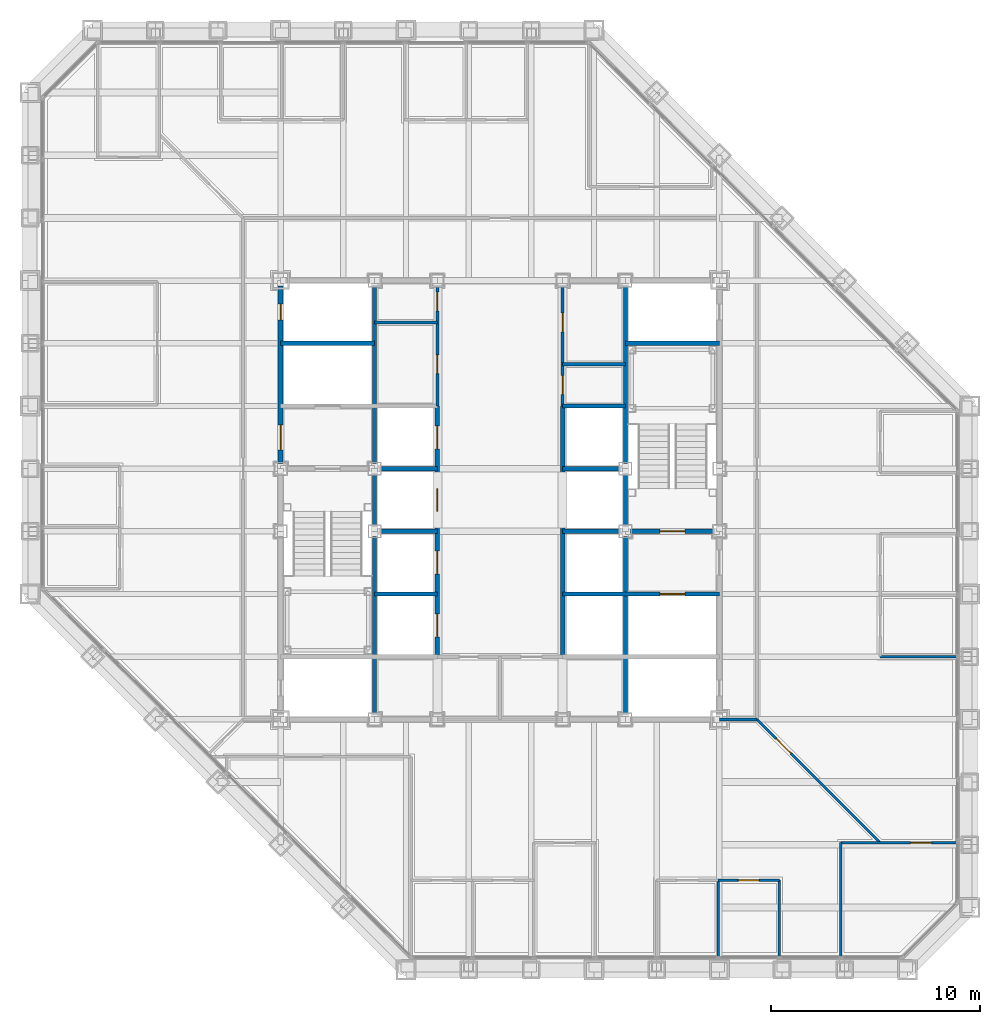
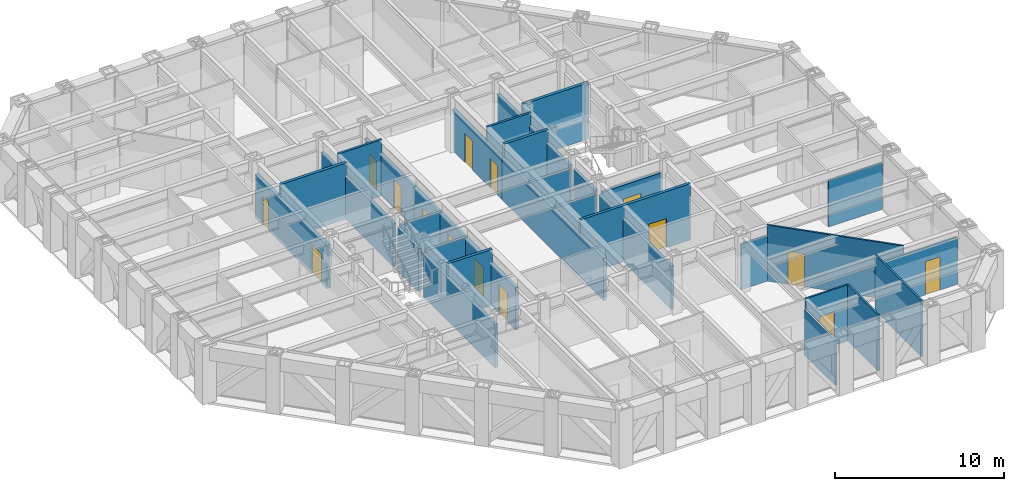
# One storey, part 11 of 17: 31 walls, 15 doors, 15 openings.
"""IFC4 building model written with IfcOpenShell, lengths in metres."""

from ifc_helpers import new_model, si_unit, direction, frame, frame_2d, origin, place, context, subcontext, project, spatial, rectangle, extrude, material, layer, layer_set, type_object, element, fill, save


model = new_model("IFC4")

# Units and contexts
model_context = context("Model", 3, precision=1e-05, world=origin(), true_north=direction((0.0, 1.0)))
body_context = subcontext(model_context, "Body", "Model", "MODEL_VIEW")
ifc_project = project(units=[si_unit("LENGTHUNIT", "METRE"), si_unit("AREAUNIT", "SQUARE_METRE"), si_unit("VOLUMEUNIT", "CUBIC_METRE"), si_unit("PLANEANGLEUNIT", "RADIAN"), si_unit("MASSUNIT", "GRAM", prefix="KILO")], contexts=[model_context])

# Site, building, storey
site_placement = place(None, origin())
site = spatial("IfcSite", under=ifc_project, at=site_placement, CompositionType="ELEMENT")
building_placement = place(site_placement, origin())
building = spatial("IfcBuilding", under=site, at=building_placement, Name="Chuquiago Exchange Tower", CompositionType="ELEMENT")
storey_placement = place(building_placement, frame((0.0, 0.0, 165.60009765625)))
storey = spatial("IfcBuildingStorey", under=building, at=storey_placement, Name="L36", CompositionType="ELEMENT", Elevation=165.60009765625)

# Wall, openings, doors
ifc_material_1 = material(Name="Concrete masonry, fully grouted", Category="masonry")
ifc_layer_1 = layer(ifc_material_1, 0.25)
ifc_layer_set_1 = layer_set([ifc_layer_1], Name="W1 core wall 250")
wall_type_1 = type_object("IfcWallType", Name="W1 core wall 250", PredefinedType="SOLIDWALL", material=ifc_layer_set_1)
wall_1_placement = place(storey_placement, frame((12.0, 24.25, 0.0), z_axis=(0.0, 0.0, 1.0), x_axis=(0.0, 1.0, 0.0)))
wall_1 = element("IfcWall", 1, at=wall_1_placement, inside=storey, type_object=wall_type_1, Name="CW-L36-00-2", PredefinedType="SOLIDWALL", context=body_context, shape_type="SweptSolid", body=[
    extrude(rectangle(XDim=8.5, YDim=0.25, at=frame_2d((4.25, 0.0))), origin(), (0.0, 0.0, 1.0), 3.11279296875),
])
opening_1_placement = place(wall_1_placement, frame((0.64990234375, 0.0, 0.0)))
opening_1 = element("IfcOpeningElement", 2, at=opening_1_placement, cuts=wall_1, Name="Opening L36-002", PredefinedType="OPENING", context=body_context, shape_type="SweptSolid", body=[
    extrude(rectangle(XDim=1.199951171875, YDim=2.10009765625, at=frame_2d((0.60009765625, 1.050048828125))), frame((0.0, 0.135009765625, 0.0), z_axis=(0.0, -1.0, 0.0), x_axis=(1.0, 0.0, 0.0)), (0.0, 0.0, 1.0), 0.27001953125),
])
opening_2_placement = place(wall_1_placement, frame((6.875, 0.0, 0.0)))
opening_2 = element("IfcOpeningElement", 3, at=opening_2_placement, cuts=wall_1, Name="Opening L36-008", PredefinedType="OPENING", context=body_context, shape_type="SweptSolid", body=[
    extrude(rectangle(XDim=0.75, YDim=2.10009765625, at=frame_2d((0.375, 1.050048828125))), frame((0.0, 0.135009765625, 0.0), z_axis=(0.0, -1.0, 0.0), x_axis=(1.0, 0.0, 0.0)), (0.0, 0.0, 1.0), 0.27001953125),
])
ifc_material_2 = material(Name="Steel door, painted", Category="steel")
door_type_1 = type_object("IfcDoorType", Name="D5 firefighting lobby door 1200x2100", OperationType="SINGLE_SWING_LEFT", PredefinedType="DOOR", material=ifc_material_2)
door_1_placement = place(opening_1_placement, frame((1.199951171875, 0.0, 0.0), z_axis=(0.0, 0.0, 1.0), x_axis=(-1.0, 0.0, 0.0)))
door_1 = element("IfcDoor", 4, at=door_1_placement, inside=storey, type_object=door_type_1, Name="Firefighting lobby 1 door", OperationType="SINGLE_SWING_RIGHT", OverallHeight=2.10009765625, OverallWidth=1.199951171875, PredefinedType="DOOR", context=body_context, shape_type="SweptSolid", body=[
    extrude(rectangle(XDim=1.199951171875, YDim=2.10009765625, at=frame_2d((0.60009765625, 1.050048828125))), frame((0.0, 0.02490234375, 0.0), z_axis=(0.0, -1.0, 0.0), x_axis=(1.0, 0.0, 0.0)), (0.0, 0.0, 1.0), 0.050048828125),
])
fill(opening_1, door_1)
ifc_material_3 = material(Name="Steel door, painted", Category="steel")
door_type_2 = type_object("IfcDoorType", Name="D6 riser access door 750x2100", OperationType="SINGLE_SWING_LEFT", PredefinedType="DOOR", material=ifc_material_3)
door_2_placement = place(opening_2_placement, frame((0.75, 0.0, 0.0), z_axis=(0.0, 0.0, 1.0), x_axis=(-1.0, 0.0, 0.0)))
door_2 = element("IfcDoor", 5, at=door_2_placement, inside=storey, type_object=door_type_2, Name="Riser RW2 door", OperationType="SINGLE_SWING_LEFT", OverallHeight=2.10009765625, OverallWidth=0.75, PredefinedType="DOOR", context=body_context, shape_type="SweptSolid", body=[
    extrude(rectangle(XDim=0.75, YDim=2.10009765625, at=frame_2d((0.375, 1.050048828125))), frame((0.0, 0.02490234375, 0.0), z_axis=(0.0, -1.0, 0.0), x_axis=(1.0, 0.0, 0.0)), (0.0, 0.0, 1.0), 0.050048828125),
])
fill(opening_2, door_2)

# Walls
ifc_material_4 = material(Name="Gypsum board on steel studs, acoustic insulation", Category="steel")
ifc_layer_2 = layer(ifc_material_4, 0.14990234375)
ifc_layer_set_2 = layer_set([ifc_layer_2], Name="W11 corridor wall 150")
wall_type_2 = type_object("IfcWallType", Name="W11 corridor wall 150", PredefinedType="PARTITIONING", material=ifc_layer_set_2)
wall_2_placement = place(storey_placement, frame((33.0, 12.0, 0.0), z_axis=(0.0, 0.0, 1.0), x_axis=(1.0, 0.0, 0.0)))
element("IfcWall", 6, at=wall_2_placement, inside=storey, type_object=wall_type_2, Name="PW-L36-GES0", PredefinedType="PARTITIONING", context=body_context, shape_type="SweptSolid", body=[
    extrude(rectangle(XDim=1.800048828125, YDim=0.14990234375, at=frame_2d((0.89990234375, 0.0))), origin(), (0.0, 0.0, 1.0), 3.270263671875),
])
ifc_material_5 = material(Name="Concrete masonry, fully grouted", Category="masonry")
ifc_layer_3 = layer(ifc_material_5, 0.199951171875)
ifc_layer_set_3 = layer_set([ifc_layer_3], Name="W2 shaft wall 200")
wall_type_3 = type_object("IfcWallType", Name="W2 shaft wall 200", PredefinedType="SOLIDWALL", material=ifc_layer_set_3)
for number, where, z_axis, x_axis, name in (
    (7, (16.75, 24.0, 0.0), (0.0, 0.0, 1.0), (1.0, 0.0, 0.0), "CW-L36-05-1"),
    (8, (25.5, 24.0, 0.0), (0.0, 0.0, 1.0), (1.0, 0.0, 0.0), "CW-L36-06-0"),
):
    element("IfcWall", number, at=place(storey_placement, frame(where, z_axis=z_axis, x_axis=x_axis)), inside=storey, type_object=wall_type_3, Name=name, PredefinedType="SOLIDWALL", context=body_context, shape_type="SweptSolid", body=[
        extrude(rectangle(XDim=2.75, YDim=0.199951171875, at=frame_2d((1.375, 0.0))), origin(), (0.0, 0.0, 1.0), 3.08984375),
    ])
wall_3_placement = place(storey_placement, frame((25.5, 27.0, 0.0), z_axis=(0.0, 0.0, 1.0), x_axis=(1.0, 0.0, 0.0)))
element("IfcWall", 9, at=wall_3_placement, inside=storey, type_object=wall_type_3, Name="CW-L36-08-0", PredefinedType="SOLIDWALL", context=body_context, shape_type="SweptSolid", body=[
    extrude(rectangle(XDim=3.0, YDim=0.199951171875, at=frame_2d((1.5, 0.0))), origin(), (0.0, 0.0, 1.0), 4.039794921875),
])
for number, where, z_axis, x_axis, name in (
    (10, (12.0, 30.0, 0.0), (0.0, 0.0, 1.0), (1.0, 0.0, 0.0), "CW-L36-09-0"),
    (11, (28.5, 30.0, 0.0), (0.0, 0.0, 1.0), (1.0, 0.0, 0.0), "CW-L36-10-0"),
):
    element("IfcWall", number, at=place(storey_placement, frame(where, z_axis=z_axis, x_axis=x_axis)), inside=storey, type_object=wall_type_3, Name=name, PredefinedType="SOLIDWALL", context=body_context, shape_type="SweptSolid", body=[
        extrude(rectangle(XDim=4.5, YDim=0.199951171875, at=frame_2d((2.25, 0.0))), origin(), (0.0, 0.0, 1.0), 4.039794921875),
    ])
wall_4_placement = place(storey_placement, frame((16.5, 12.25, 0.0), z_axis=(0.0, 0.0, 1.0), x_axis=(0.0, 1.0, 0.0)))
element("IfcWall", 12, at=wall_4_placement, inside=storey, type_object=wall_type_3, Name="CW-L36-13-0", PredefinedType="SOLIDWALL", context=body_context, shape_type="SweptSolid", body=[
    extrude(rectangle(XDim=8.5, YDim=0.199951171875, at=frame_2d((4.25, 0.0))), origin(), (0.0, 0.0, 1.0), 3.11279296875),
])
wall_5_placement = place(storey_placement, frame((16.5, 21.25, 0.0), z_axis=(0.0, 0.0, 1.0), x_axis=(0.0, 1.0, 0.0)))
element("IfcWall", 13, at=wall_5_placement, inside=storey, type_object=wall_type_3, Name="CW-L36-13-1", PredefinedType="SOLIDWALL", context=body_context, shape_type="SweptSolid", body=[
    extrude(rectangle(XDim=2.5, YDim=0.199951171875, at=frame_2d((1.25, 0.0))), origin(), (0.0, 0.0, 1.0), 3.11279296875),
])
wall_6_placement = place(storey_placement, frame((16.5, 24.25, 0.0), z_axis=(0.0, 0.0, 1.0), x_axis=(0.0, 1.0, 0.0)))
element("IfcWall", 14, at=wall_6_placement, inside=storey, type_object=wall_type_3, Name="CW-L36-13-2", PredefinedType="SOLIDWALL", context=body_context, shape_type="SweptSolid", body=[
    extrude(rectangle(XDim=8.5, YDim=0.199951171875, at=frame_2d((4.25, 0.0))), origin(), (0.0, 0.0, 1.0), 3.11279296875),
])
wall_7_placement = place(storey_placement, frame((16.5, 18.0, 0.0), z_axis=(0.0, 0.0, 1.0), x_axis=(1.0, 0.0, 0.0)))
element("IfcWall", 15, at=wall_7_placement, inside=storey, type_object=wall_type_3, Name="CW-L36-14-0", PredefinedType="SOLIDWALL", context=body_context, shape_type="SweptSolid", body=[
    extrude(rectangle(XDim=3.0, YDim=0.199951171875, at=frame_2d((1.5, 0.0))), origin(), (0.0, 0.0, 1.0), 4.039794921875),
])

# Wall, opening, door
wall_8_placement = place(storey_placement, frame((25.5, 18.0, 0.0), z_axis=(0.0, 0.0, 1.0), x_axis=(1.0, 0.0, 0.0)))
wall_8 = element("IfcWall", 16, at=wall_8_placement, inside=storey, type_object=wall_type_3, Name="CW-L36-15-0", PredefinedType="SOLIDWALL", context=body_context, shape_type="SweptSolid", body=[
    extrude(rectangle(XDim=7.5, YDim=0.199951171875, at=frame_2d((3.75, 0.0))), origin(), (0.0, 0.0, 1.0), 4.039794921875),
])
opening_3_placement = place(wall_8_placement, frame((4.64990234375, 0.0, 0.0)))
opening_3 = element("IfcOpeningElement", 17, at=opening_3_placement, cuts=wall_8, Name="Opening L36-006", PredefinedType="OPENING", context=body_context, shape_type="SweptSolid", body=[
    extrude(rectangle(XDim=1.199951171875, YDim=2.10009765625, at=frame_2d((0.60009765625, 1.050048828125))), frame((0.0, 0.10986328125, 0.0), z_axis=(0.0, -1.0, 0.0), x_axis=(1.0, 0.0, 0.0)), (0.0, 0.0, 1.0), 0.219970703125),
])
ifc_material_6 = material(Name="Stainless steel lift landing door", Category="steel")
door_type_3 = type_object("IfcDoorType", Name="LD2 firefighting lift landing door 1200x2100", OperationType="DOUBLE_DOOR_SLIDING", PredefinedType="DOOR", material=ifc_material_6)
door_3_placement = place(opening_3_placement, origin())
door_3 = element("IfcDoor", 18, at=door_3_placement, inside=storey, type_object=door_type_3, Name="Firefighting lift FL2 landing door", OperationType="DOUBLE_DOOR_SLIDING", OverallHeight=2.10009765625, OverallWidth=1.199951171875, PredefinedType="DOOR", context=body_context, shape_type="SweptSolid", body=[
    extrude(rectangle(XDim=1.199951171875, YDim=2.10009765625, at=frame_2d((0.60009765625, 1.050048828125))), frame((0.0, 0.02490234375, 0.0), z_axis=(0.0, -1.0, 0.0), x_axis=(1.0, 0.0, 0.0)), (0.0, 0.0, 1.0), 0.050048828125),
])
fill(opening_3, door_3)

# Walls
for number, where, z_axis, x_axis, name in (
    (19, (16.75, 21.0, 0.0), (0.0, 0.0, 1.0), (1.0, 0.0, 0.0), "CW-L36-16-0"),
    (20, (25.5, 21.0, 0.0), (0.0, 0.0, 1.0), (1.0, 0.0, 0.0), "CW-L36-17-0"),
):
    element("IfcWall", number, at=place(storey_placement, frame(where, z_axis=z_axis, x_axis=x_axis)), inside=storey, type_object=wall_type_3, Name=name, PredefinedType="SOLIDWALL", context=body_context, shape_type="SweptSolid", body=[
        extrude(rectangle(XDim=2.75, YDim=0.199951171875, at=frame_2d((1.375, 0.0))), origin(), (0.0, 0.0, 1.0), 3.08984375),
    ])

# Wall, opening, door
wall_9_placement = place(storey_placement, frame((28.75, 21.0, 0.0), z_axis=(0.0, 0.0, 1.0), x_axis=(1.0, 0.0, 0.0)))
wall_9 = element("IfcWall", 21, at=wall_9_placement, inside=storey, type_object=wall_type_3, Name="CW-L36-17-1", PredefinedType="SOLIDWALL", context=body_context, shape_type="SweptSolid", body=[
    extrude(rectangle(XDim=4.0, YDim=0.199951171875, at=frame_2d((2.0, 0.0))), origin(), (0.0, 0.0, 1.0), 3.08984375),
])
opening_4_placement = place(wall_9_placement, frame((1.39990234375, 0.0, 0.0)))
opening_4 = element("IfcOpeningElement", 22, at=opening_4_placement, cuts=wall_9, Name="Opening L36-003", PredefinedType="OPENING", context=body_context, shape_type="SweptSolid", body=[
    extrude(rectangle(XDim=1.199951171875, YDim=2.10009765625, at=frame_2d((0.60009765625, 1.050048828125))), frame((0.0, 0.10986328125, 0.0), z_axis=(0.0, -1.0, 0.0), x_axis=(1.0, 0.0, 0.0)), (0.0, 0.0, 1.0), 0.219970703125),
])
ifc_material_7 = material(Name="Steel door, painted", Category="steel")
door_type_4 = type_object("IfcDoorType", Name="D4 stair door 1200x2100", OperationType="SINGLE_SWING_LEFT", PredefinedType="DOOR", material=ifc_material_7)
door_4_placement = place(opening_4_placement, origin())
door_4 = element("IfcDoor", 23, at=door_4_placement, inside=storey, type_object=door_type_4, Name="Stair ST2 door", OperationType="SINGLE_SWING_LEFT", OverallHeight=2.10009765625, OverallWidth=1.199951171875, PredefinedType="DOOR", context=body_context, shape_type="SweptSolid", body=[
    extrude(rectangle(XDim=1.199951171875, YDim=2.10009765625, at=frame_2d((0.60009765625, 1.050048828125))), frame((0.0, 0.02490234375, 0.0), z_axis=(0.0, -1.0, 0.0), x_axis=(1.0, 0.0, 0.0)), (0.0, 0.0, 1.0), 0.050048828125),
])
fill(opening_4, door_4)

# Wall, openings, doors
wall_10_placement = place(storey_placement, frame((19.5, 15.0, 0.0), z_axis=(0.0, 0.0, 1.0), x_axis=(0.0, 1.0, 0.0)))
wall_10 = element("IfcWall", 24, at=wall_10_placement, inside=storey, type_object=wall_type_3, Name="CW-L36-19-0", PredefinedType="SOLIDWALL", context=body_context, shape_type="SweptSolid", body=[
    extrude(rectangle(XDim=12.0, YDim=0.199951171875, at=frame_2d((6.0, 0.0))), origin(), (0.0, 0.0, 1.0), 3.064453125),
])
opening_5_placement = place(wall_10_placement, frame((0.949951171875, 0.0, 0.0)))
opening_5 = element("IfcOpeningElement", 25, at=opening_5_placement, cuts=wall_10, Name="Opening L36-017", PredefinedType="OPENING", context=body_context, shape_type="SweptSolid", body=[
    extrude(rectangle(XDim=1.10009765625, YDim=2.10009765625, at=frame_2d((0.550048828125, 1.050048828125))), frame((0.0, 0.10986328125, 0.0), z_axis=(0.0, -1.0, 0.0), x_axis=(1.0, 0.0, 0.0)), (0.0, 0.0, 1.0), 0.219970703125),
])
opening_6_placement = place(wall_10_placement, frame((3.949951171875, 0.0, 0.0)))
opening_6 = element("IfcOpeningElement", 26, at=opening_6_placement, cuts=wall_10, Name="Opening L36-018", PredefinedType="OPENING", context=body_context, shape_type="SweptSolid", body=[
    extrude(rectangle(XDim=1.10009765625, YDim=2.10009765625, at=frame_2d((0.550048828125, 1.050048828125))), frame((0.0, 0.10986328125, 0.0), z_axis=(0.0, -1.0, 0.0), x_axis=(1.0, 0.0, 0.0)), (0.0, 0.0, 1.0), 0.219970703125),
])
opening_7_placement = place(wall_10_placement, frame((6.949951171875, 0.0, 0.0)))
opening_7 = element("IfcOpeningElement", 27, at=opening_7_placement, cuts=wall_10, Name="Opening L36-019", PredefinedType="OPENING", context=body_context, shape_type="SweptSolid", body=[
    extrude(rectangle(XDim=1.10009765625, YDim=2.10009765625, at=frame_2d((0.550048828125, 1.050048828125))), frame((0.0, 0.10986328125, 0.0), z_axis=(0.0, -1.0, 0.0), x_axis=(1.0, 0.0, 0.0)), (0.0, 0.0, 1.0), 0.219970703125),
])
opening_8_placement = place(wall_10_placement, frame((9.949951171875, 0.0, 0.0)))
opening_8 = element("IfcOpeningElement", 28, at=opening_8_placement, cuts=wall_10, Name="Opening L36-020", PredefinedType="OPENING", context=body_context, shape_type="SweptSolid", body=[
    extrude(rectangle(XDim=1.10009765625, YDim=2.10009765625, at=frame_2d((0.550048828125, 1.050048828125))), frame((0.0, 0.10986328125, 0.0), z_axis=(0.0, -1.0, 0.0), x_axis=(1.0, 0.0, 0.0)), (0.0, 0.0, 1.0), 0.219970703125),
])
ifc_material_8 = material(Name="Stainless steel lift landing door", Category="steel")
door_type_5 = type_object("IfcDoorType", Name="LD1 lift landing door 1100x2100", OperationType="DOUBLE_DOOR_SLIDING", PredefinedType="DOOR", material=ifc_material_8)
door_5_placement = place(opening_5_placement, origin())
door_5 = element("IfcDoor", 29, at=door_5_placement, inside=storey, type_object=door_type_5, Name="Lift LB1 landing door", OperationType="DOUBLE_DOOR_SLIDING", OverallHeight=2.10009765625, OverallWidth=1.10009765625, PredefinedType="DOOR", context=body_context, shape_type="SweptSolid", body=[
    extrude(rectangle(XDim=1.10009765625, YDim=2.10009765625, at=frame_2d((0.550048828125, 1.050048828125))), frame((0.0, 0.02490234375, 0.0), z_axis=(0.0, -1.0, 0.0), x_axis=(1.0, 0.0, 0.0)), (0.0, 0.0, 1.0), 0.050048828125),
])
fill(opening_5, door_5)
door_6_placement = place(opening_6_placement, origin())
door_6 = element("IfcDoor", 30, at=door_6_placement, inside=storey, type_object=door_type_5, Name="Lift LB2 landing door", OperationType="DOUBLE_DOOR_SLIDING", OverallHeight=2.10009765625, OverallWidth=1.10009765625, PredefinedType="DOOR", context=body_context, shape_type="SweptSolid", body=[
    extrude(rectangle(XDim=1.10009765625, YDim=2.10009765625, at=frame_2d((0.550048828125, 1.050048828125))), frame((0.0, 0.02490234375, 0.0), z_axis=(0.0, -1.0, 0.0), x_axis=(1.0, 0.0, 0.0)), (0.0, 0.0, 1.0), 0.050048828125),
])
fill(opening_6, door_6)
door_7_placement = place(opening_7_placement, origin())
door_7 = element("IfcDoor", 31, at=door_7_placement, inside=storey, type_object=door_type_5, Name="Lift LB3 landing door", OperationType="DOUBLE_DOOR_SLIDING", OverallHeight=2.10009765625, OverallWidth=1.10009765625, PredefinedType="DOOR", context=body_context, shape_type="SweptSolid", body=[
    extrude(rectangle(XDim=1.10009765625, YDim=2.10009765625, at=frame_2d((0.550048828125, 1.050048828125))), frame((0.0, 0.02490234375, 0.0), z_axis=(0.0, -1.0, 0.0), x_axis=(1.0, 0.0, 0.0)), (0.0, 0.0, 1.0), 0.050048828125),
])
fill(opening_7, door_7)
door_8_placement = place(opening_8_placement, origin())
door_8 = element("IfcDoor", 32, at=door_8_placement, inside=storey, type_object=door_type_5, Name="Lift LB4 landing door", OperationType="DOUBLE_DOOR_SLIDING", OverallHeight=2.10009765625, OverallWidth=1.10009765625, PredefinedType="DOOR", context=body_context, shape_type="SweptSolid", body=[
    extrude(rectangle(XDim=1.10009765625, YDim=2.10009765625, at=frame_2d((0.550048828125, 1.050048828125))), frame((0.0, 0.02490234375, 0.0), z_axis=(0.0, -1.0, 0.0), x_axis=(1.0, 0.0, 0.0)), (0.0, 0.0, 1.0), 0.050048828125),
])
fill(opening_8, door_8)

# Walls
wall_11_placement = place(storey_placement, frame((25.5, 15.0, 0.0), z_axis=(0.0, 0.0, 1.0), x_axis=(0.0, 1.0, 0.0)))
element("IfcWall", 33, at=wall_11_placement, inside=storey, type_object=wall_type_3, Name="CW-L36-22-0", PredefinedType="SOLIDWALL", context=body_context, shape_type="SweptSolid", body=[
    extrude(rectangle(XDim=12.0, YDim=0.199951171875, at=frame_2d((6.0, 0.0))), origin(), (0.0, 0.0, 1.0), 3.064453125),
])
wall_12_placement = place(storey_placement, frame((28.5, 12.25, 0.0), z_axis=(0.0, 0.0, 1.0), x_axis=(0.0, 1.0, 0.0)))
element("IfcWall", 34, at=wall_12_placement, inside=storey, type_object=wall_type_3, Name="CW-L36-24-0", PredefinedType="SOLIDWALL", context=body_context, shape_type="SweptSolid", body=[
    extrude(rectangle(XDim=8.5, YDim=0.199951171875, at=frame_2d((4.25, 0.0))), origin(), (0.0, 0.0, 1.0), 3.11279296875),
])
wall_13_placement = place(storey_placement, frame((28.5, 21.25, 0.0), z_axis=(0.0, 0.0, 1.0), x_axis=(0.0, 1.0, 0.0)))
element("IfcWall", 35, at=wall_13_placement, inside=storey, type_object=wall_type_3, Name="CW-L36-24-1", PredefinedType="SOLIDWALL", context=body_context, shape_type="SweptSolid", body=[
    extrude(rectangle(XDim=2.5, YDim=0.199951171875, at=frame_2d((1.25, 0.0))), origin(), (0.0, 0.0, 1.0), 3.11279296875),
])
wall_14_placement = place(storey_placement, frame((28.5, 24.25, 0.0), z_axis=(0.0, 0.0, 1.0), x_axis=(0.0, 1.0, 0.0)))
element("IfcWall", 36, at=wall_14_placement, inside=storey, type_object=wall_type_3, Name="CW-L36-24-2", PredefinedType="SOLIDWALL", context=body_context, shape_type="SweptSolid", body=[
    extrude(rectangle(XDim=8.5, YDim=0.199951171875, at=frame_2d((4.25, 0.0))), origin(), (0.0, 0.0, 1.0), 3.11279296875),
])

# Wall, openings, doors
ifc_material_9 = material(Name="Gypsum board on steel studs", Category="steel")
ifc_layer_4 = layer(ifc_material_9, 0.14990234375)
ifc_layer_set_4 = layer_set([ifc_layer_4], Name="W3 core partition 150")
wall_type_4 = type_object("IfcWallType", Name="W3 core partition 150", PredefinedType="PARTITIONING", material=ifc_layer_set_4)
wall_15_placement = place(storey_placement, frame((19.5, 27.0, 0.0), z_axis=(0.0, 0.0, 1.0), x_axis=(0.0, 1.0, 0.0)))
wall_15 = element("IfcWall", 37, at=wall_15_placement, inside=storey, type_object=wall_type_4, Name="CW-L36-20-0", PredefinedType="PARTITIONING", context=body_context, shape_type="SweptSolid", body=[
    extrude(rectangle(XDim=5.75, YDim=0.14990234375, at=frame_2d((2.875, 0.0))), origin(), (0.0, 0.0, 1.0), 3.064453125),
])
opening_9_placement = place(wall_15_placement, frame((1.550048828125, 0.0, 0.0)))
opening_9 = element("IfcOpeningElement", 38, at=opening_9_placement, cuts=wall_15, Name="Opening L36-011", PredefinedType="OPENING", context=body_context, shape_type="SweptSolid", body=[
    extrude(rectangle(XDim=0.89990234375, YDim=2.10009765625, at=frame_2d((0.449951171875, 1.050048828125))), frame((0.0, 0.0849609375, 0.0), z_axis=(0.0, -1.0, 0.0), x_axis=(1.0, 0.0, 0.0)), (0.0, 0.0, 1.0), 0.169921875),
])
opening_10_placement = place(wall_15_placement, frame((4.550048828125, 0.0, 0.0)))
opening_10 = element("IfcOpeningElement", 39, at=opening_10_placement, cuts=wall_15, Name="Opening L36-012", PredefinedType="OPENING", context=body_context, shape_type="SweptSolid", body=[
    extrude(rectangle(XDim=0.89990234375, YDim=2.10009765625, at=frame_2d((0.449951171875, 1.050048828125))), frame((0.0, 0.0849609375, 0.0), z_axis=(0.0, -1.0, 0.0), x_axis=(1.0, 0.0, 0.0)), (0.0, 0.0, 1.0), 0.169921875),
])
ifc_material_10 = material(Name="Timber door, laminate faced", Category="wood")
door_type_6 = type_object("IfcDoorType", Name="D16 core room door 900x2100", OperationType="SINGLE_SWING_LEFT", PredefinedType="DOOR", material=ifc_material_10)
door_9_placement = place(opening_10_placement, origin())
door_9 = element("IfcDoor", 40, at=door_9_placement, inside=storey, type_object=door_type_6, Name="Staff shower room door", OperationType="SINGLE_SWING_RIGHT", OverallHeight=2.10009765625, OverallWidth=0.89990234375, PredefinedType="DOOR", context=body_context, shape_type="SweptSolid", body=[
    extrude(rectangle(XDim=0.89990234375, YDim=2.10009765625, at=frame_2d((0.449951171875, 1.050048828125))), frame((0.0, 0.02490234375, 0.0), z_axis=(0.0, -1.0, 0.0), x_axis=(1.0, 0.0, 0.0)), (0.0, 0.0, 1.0), 0.050048828125),
])
fill(opening_10, door_9)
ifc_material_11 = material(Name="Timber door, laminate faced", Category="wood")
door_type_7 = type_object("IfcDoorType", Name="D7 toilet door 900x2100", OperationType="SINGLE_SWING_LEFT", PredefinedType="DOOR", material=ifc_material_11)
door_10_placement = place(opening_9_placement, origin())
door_10 = element("IfcDoor", 41, at=door_10_placement, inside=storey, type_object=door_type_7, Name="Male WC door", OperationType="SINGLE_SWING_LEFT", OverallHeight=2.10009765625, OverallWidth=0.89990234375, PredefinedType="DOOR", context=body_context, shape_type="SweptSolid", body=[
    extrude(rectangle(XDim=0.89990234375, YDim=2.10009765625, at=frame_2d((0.449951171875, 1.050048828125))), frame((0.0, 0.02490234375, 0.0), z_axis=(0.0, -1.0, 0.0), x_axis=(1.0, 0.0, 0.0)), (0.0, 0.0, 1.0), 0.050048828125),
])
fill(opening_9, door_10)

wall_16_placement = place(storey_placement, frame((25.5, 27.0, 0.0), z_axis=(0.0, 0.0, 1.0), x_axis=(0.0, 1.0, 0.0)))
wall_16 = element("IfcWall", 42, at=wall_16_placement, inside=storey, type_object=wall_type_4, Name="CW-L36-23-0", PredefinedType="PARTITIONING", context=body_context, shape_type="SweptSolid", body=[
    extrude(rectangle(XDim=5.75, YDim=0.14990234375, at=frame_2d((2.875, 0.0))), origin(), (0.0, 0.0, 1.0), 3.064453125),
])
opening_11_placement = place(wall_16_placement, frame((0.550048828125, 0.0, 0.0)))
opening_11 = element("IfcOpeningElement", 43, at=opening_11_placement, cuts=wall_16, Name="Opening L36-013", PredefinedType="OPENING", context=body_context, shape_type="SweptSolid", body=[
    extrude(rectangle(XDim=0.89990234375, YDim=2.10009765625, at=frame_2d((0.449951171875, 1.050048828125))), frame((0.0, 0.0849609375, 0.0), z_axis=(0.0, -1.0, 0.0), x_axis=(1.0, 0.0, 0.0)), (0.0, 0.0, 1.0), 0.169921875),
])
opening_12_placement = place(wall_16_placement, frame((3.550048828125, 0.0, 0.0)))
opening_12 = element("IfcOpeningElement", 44, at=opening_12_placement, cuts=wall_16, Name="Opening L36-014", PredefinedType="OPENING", context=body_context, shape_type="SweptSolid", body=[
    extrude(rectangle(XDim=0.89990234375, YDim=2.10009765625, at=frame_2d((0.449951171875, 1.050048828125))), frame((0.0, 0.0849609375, 0.0), z_axis=(0.0, -1.0, 0.0), x_axis=(1.0, 0.0, 0.0)), (0.0, 0.0, 1.0), 0.169921875),
])
door_11_placement = place(opening_11_placement, frame((0.89990234375, 0.0, 0.0), z_axis=(0.0, 0.0, 1.0), x_axis=(-1.0, 0.0, 0.0)))
door_11 = element("IfcDoor", 45, at=door_11_placement, inside=storey, type_object=door_type_6, Name="First aid room door", OperationType="SINGLE_SWING_RIGHT", OverallHeight=2.10009765625, OverallWidth=0.89990234375, PredefinedType="DOOR", context=body_context, shape_type="SweptSolid", body=[
    extrude(rectangle(XDim=0.89990234375, YDim=2.10009765625, at=frame_2d((0.449951171875, 1.050048828125))), frame((0.0, 0.02490234375, 0.0), z_axis=(0.0, -1.0, 0.0), x_axis=(1.0, 0.0, 0.0)), (0.0, 0.0, 1.0), 0.050048828125),
])
fill(opening_11, door_11)
door_12_placement = place(opening_12_placement, frame((0.89990234375, 0.0, 0.0), z_axis=(0.0, 0.0, 1.0), x_axis=(-1.0, 0.0, 0.0)))
door_12 = element("IfcDoor", 46, at=door_12_placement, inside=storey, type_object=door_type_7, Name="Female WC door", OperationType="SINGLE_SWING_LEFT", OverallHeight=2.10009765625, OverallWidth=0.89990234375, PredefinedType="DOOR", context=body_context, shape_type="SweptSolid", body=[
    extrude(rectangle(XDim=0.89990234375, YDim=2.10009765625, at=frame_2d((0.449951171875, 1.050048828125))), frame((0.0, 0.02490234375, 0.0), z_axis=(0.0, -1.0, 0.0), x_axis=(1.0, 0.0, 0.0)), (0.0, 0.0, 1.0), 0.050048828125),
])
fill(opening_12, door_12)

# Walls
for number, where, z_axis, x_axis, name in (
    (47, (16.5, 31.0, 0.0), (0.0, 0.0, 1.0), (1.0, 0.0, 0.0), "CW-L36-WCMS"),
    (48, (25.5, 29.0, 0.0), (0.0, 0.0, 1.0), (1.0, 0.0, 0.0), "CW-L36-WCFS"),
):
    element("IfcWall", number, at=place(storey_placement, frame(where, z_axis=z_axis, x_axis=x_axis)), inside=storey, type_object=wall_type_4, Name=name, PredefinedType="PARTITIONING", context=body_context, shape_type="SweptSolid", body=[
        extrude(rectangle(XDim=3.0, YDim=0.14990234375, at=frame_2d((1.5, 0.0))), origin(), (0.0, 0.0, 1.0), 4.039794921875),
    ])
ifc_material_12 = material(Name="Gypsum board on steel studs", Category="steel")
ifc_layer_5 = layer(ifc_material_12, 0.1201171875)
ifc_layer_set_5 = layer_set([ifc_layer_5], Name="W4 partition 120")
wall_type_5 = type_object("IfcWallType", Name="W4 partition 120", PredefinedType="PARTITIONING", material=ifc_layer_set_5)
wall_17_placement = place(storey_placement, frame((32.93798828125, 0.652587890625, 0.0), z_axis=(0.0, 0.0, 1.0), x_axis=(0.0, 1.0, 0.0)))
element("IfcWall", 49, at=wall_17_placement, inside=storey, type_object=wall_type_5, Name="PW-L36-S03294", PredefinedType="PARTITIONING", context=body_context, shape_type="SweptSolid", body=[
    extrude(rectangle(XDim=3.6474609375, YDim=0.1201171875, at=frame_2d((1.82373046875, 0.0))), origin(), (0.0, 0.0, 1.0), 3.270263671875),
])
wall_18_placement = place(storey_placement, frame((35.875732421875, 0.652587890625, 0.0), z_axis=(0.0, 0.0, 1.0), x_axis=(0.0, 1.0, 0.0)))
element("IfcWall", 50, at=wall_18_placement, inside=storey, type_object=wall_type_5, Name="PW-L36-S03588", PredefinedType="PARTITIONING", context=body_context, shape_type="SweptSolid", body=[
    extrude(rectangle(XDim=3.6474609375, YDim=0.1201171875, at=frame_2d((1.82373046875, 0.0))), origin(), (0.0, 0.0, 1.0), 4.039794921875),
])
wall_19_placement = place(storey_placement, frame((38.813720703125, 0.652587890625, 0.0), z_axis=(0.0, 0.0, 1.0), x_axis=(0.0, 1.0, 0.0)))
element("IfcWall", 51, at=wall_19_placement, inside=storey, type_object=wall_type_5, Name="PW-L36-S03881", PredefinedType="PARTITIONING", context=body_context, shape_type="SweptSolid", body=[
    extrude(rectangle(XDim=5.447509765625, YDim=0.1201171875, at=frame_2d((2.7236328125, 0.0))), origin(), (0.0, 0.0, 1.0), 4.039794921875),
])

# Wall, opening, door
wall_20_placement = place(storey_placement, frame((32.93798828125, 4.300048828125, 0.0), z_axis=(0.0, 0.0, 1.0), x_axis=(1.0, 0.0, 0.0)))
wall_20 = element("IfcWall", 52, at=wall_20_placement, inside=storey, type_object=wall_type_5, Name="PW-L36-SF03294", PredefinedType="PARTITIONING", context=body_context, shape_type="SweptSolid", body=[
    extrude(rectangle(XDim=2.937744140625, YDim=0.1201171875, at=frame_2d((1.46875, 0.0))), origin(), (0.0, 0.0, 1.0), 4.039794921875),
])
opening_13_placement = place(wall_20_placement, frame((0.968994140625, 0.0, 0.0)))
opening_13 = element("IfcOpeningElement", 53, at=opening_13_placement, cuts=wall_20, Name="Opening L36-026", PredefinedType="OPENING", context=body_context, shape_type="SweptSolid", body=[
    extrude(rectangle(XDim=1.0, YDim=2.39990234375, at=frame_2d((0.5, 1.199951171875))), frame((0.0, 0.070068359375, 0.0), z_axis=(0.0, -1.0, 0.0), x_axis=(1.0, 0.0, 0.0)), (0.0, 0.0, 1.0), 0.14013671875),
])
ifc_material_13 = material(Name="Timber frame door, full height glazed panel", Category="wood")
door_type_8 = type_object("IfcDoorType", Name="D14 glazed meeting room door 1000x2400", OperationType="SINGLE_SWING_LEFT", PredefinedType="DOOR", material=ifc_material_13)
door_13_placement = place(opening_13_placement, frame((1.0, 0.0, 0.0), z_axis=(0.0, 0.0, 1.0), x_axis=(-1.0, 0.0, 0.0)))
door_13 = element("IfcDoor", 54, at=door_13_placement, inside=storey, type_object=door_type_8, Name="Focus room door", OperationType="SINGLE_SWING_RIGHT", OverallHeight=2.39990234375, OverallWidth=1.0, PredefinedType="DOOR", context=body_context, shape_type="SweptSolid", body=[
    extrude(rectangle(XDim=1.0, YDim=2.39990234375, at=frame_2d((0.5, 1.199951171875))), frame((0.0, 0.02490234375, 0.0), z_axis=(0.0, -1.0, 0.0), x_axis=(1.0, 0.0, 0.0)), (0.0, 0.0, 1.0), 0.050048828125),
])
fill(opening_13, door_13)

wall_21_placement = place(storey_placement, frame((38.813720703125, 6.10009765625, 0.0), z_axis=(0.0, 0.0, 1.0), x_axis=(1.0, 0.0, 0.0)))
wall_21 = element("IfcWall", 55, at=wall_21_placement, inside=storey, type_object=wall_type_5, Name="PW-L36-SF03881", PredefinedType="PARTITIONING", context=body_context, shape_type="SweptSolid", body=[
    extrude(rectangle(XDim=5.53369140625, YDim=0.1201171875, at=frame_2d((2.766845703125, 0.0))), origin(), (0.0, 0.0, 1.0), 3.427734375),
])
opening_14_placement = place(wall_21_placement, frame((3.340576171875, 0.0, 0.0)))
opening_14 = element("IfcOpeningElement", 56, at=opening_14_placement, cuts=wall_21, Name="Opening L36-027", PredefinedType="OPENING", context=body_context, shape_type="SweptSolid", body=[
    extrude(rectangle(XDim=1.0, YDim=2.39990234375, at=frame_2d((0.5, 1.199951171875))), frame((0.0, 0.070068359375, 0.0), z_axis=(0.0, -1.0, 0.0), x_axis=(1.0, 0.0, 0.0)), (0.0, 0.0, 1.0), 0.14013671875),
])
door_14_placement = place(opening_14_placement, frame((1.0, 0.0, 0.0), z_axis=(0.0, 0.0, 1.0), x_axis=(-1.0, 0.0, 0.0)))
door_14 = element("IfcDoor", 57, at=door_14_placement, inside=storey, type_object=door_type_8, Name="Meeting room door", OperationType="SINGLE_SWING_LEFT", OverallHeight=2.39990234375, OverallWidth=1.0, PredefinedType="DOOR", context=body_context, shape_type="SweptSolid", body=[
    extrude(rectangle(XDim=1.0, YDim=2.39990234375, at=frame_2d((0.5, 1.199951171875))), frame((0.0, 0.02490234375, 0.0), z_axis=(0.0, -1.0, 0.0), x_axis=(1.0, 0.0, 0.0)), (0.0, 0.0, 1.0), 0.050048828125),
])
fill(opening_14, door_14)

# Wall
wall_22_placement = place(storey_placement, frame((44.347412109375, 15.0, 0.0), z_axis=(0.0, 0.0, 1.0), x_axis=(-1.0, 0.0, 0.0)))
element("IfcWall", 58, at=wall_22_placement, inside=storey, type_object=wall_type_5, Name="PW-L36-E01500", PredefinedType="PARTITIONING", context=body_context, shape_type="SweptSolid", body=[
    extrude(rectangle(XDim=3.6474609375, YDim=0.1201171875, at=frame_2d((1.82373046875, 0.0))), origin(), (0.0, 0.0, 1.0), 3.356689453125),
])

# Wall, opening, door
wall_23_placement = place(storey_placement, frame((34.800048828125, 12.0, 0.0), z_axis=(0.0, 0.0, 1.0), x_axis=(0.707106781187, -0.707106781187, 0.0)))
wall_23 = element("IfcWall", 59, at=wall_23_placement, inside=storey, type_object=wall_type_5, Name="PW-L36-QSE", PredefinedType="PARTITIONING", context=body_context, shape_type="SweptSolid", body=[
    extrude(rectangle(XDim=8.34521484375, YDim=0.1201171875, at=frame_2d((4.172607421875, 0.0))), origin(), (0.0, 0.0, 1.0), 4.039794921875),
])
opening_15_placement = place(wall_23_placement, frame((1.300048828125, 0.0, 0.0)))
opening_15 = element("IfcOpeningElement", 60, at=opening_15_placement, cuts=wall_23, Name="Opening L36-045", PredefinedType="OPENING", context=body_context, shape_type="SweptSolid", body=[
    extrude(rectangle(XDim=1.0, YDim=2.39990234375, at=frame_2d((0.5, 1.199951171875))), frame((0.0, 0.070068359375, 0.0), z_axis=(0.0, -1.0, 0.0), x_axis=(1.0, 0.0, 0.0)), (0.0, 0.0, 1.0), 0.14013671875),
])
ifc_material_14 = material(Name="Timber door, laminate faced", Category="wood")
door_type_9 = type_object("IfcDoorType", Name="D9 room door 1000x2400", OperationType="SINGLE_SWING_LEFT", PredefinedType="DOOR", material=ifc_material_14)
door_15_placement = place(opening_15_placement, frame((1.0, 0.0, 0.0), z_axis=(0.0, 0.0, 1.0), x_axis=(-1.0, 0.0, 0.0)))
door_15 = element("IfcDoor", 61, at=door_15_placement, inside=storey, type_object=door_type_9, Name="Team area door", OperationType="SINGLE_SWING_RIGHT", OverallHeight=2.39990234375, OverallWidth=1.0, PredefinedType="DOOR", context=body_context, shape_type="SweptSolid", body=[
    extrude(rectangle(XDim=1.0, YDim=2.39990234375, at=frame_2d((0.5, 1.199951171875))), frame((0.0, 0.02490234375, 0.0), z_axis=(0.0, -1.0, 0.0), x_axis=(1.0, 0.0, 0.0)), (0.0, 0.0, 1.0), 0.050048828125),
])
fill(opening_15, door_15)

save(model, "model.ifc")
